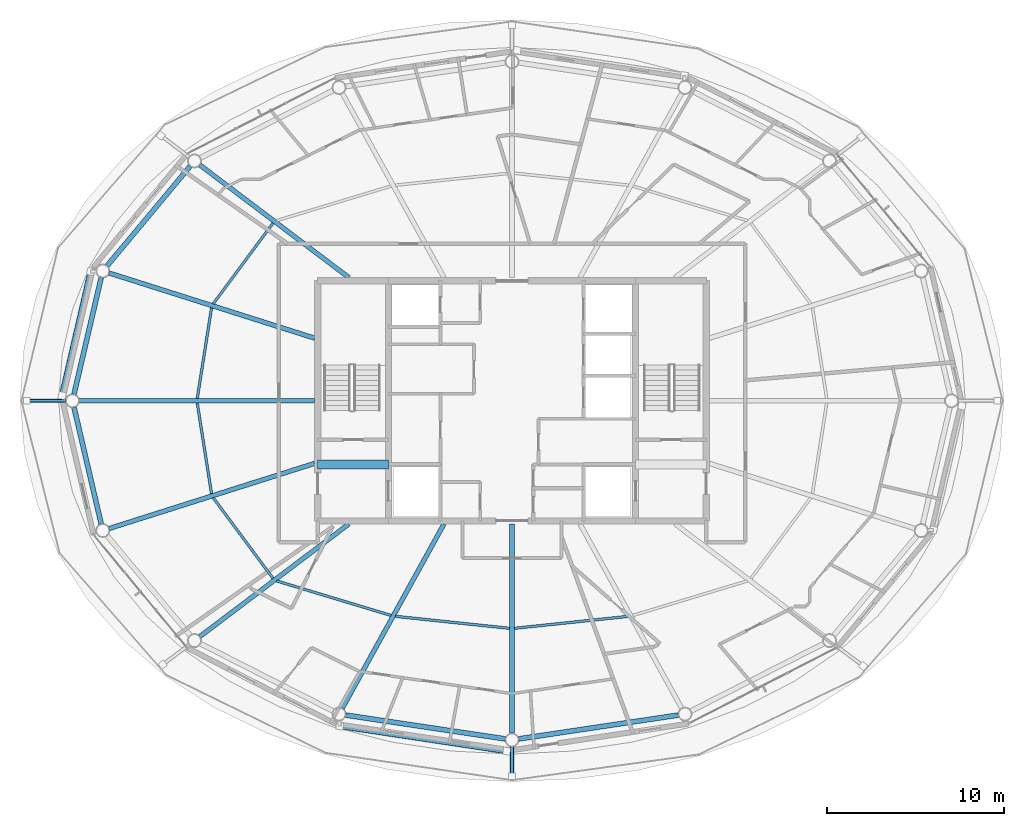
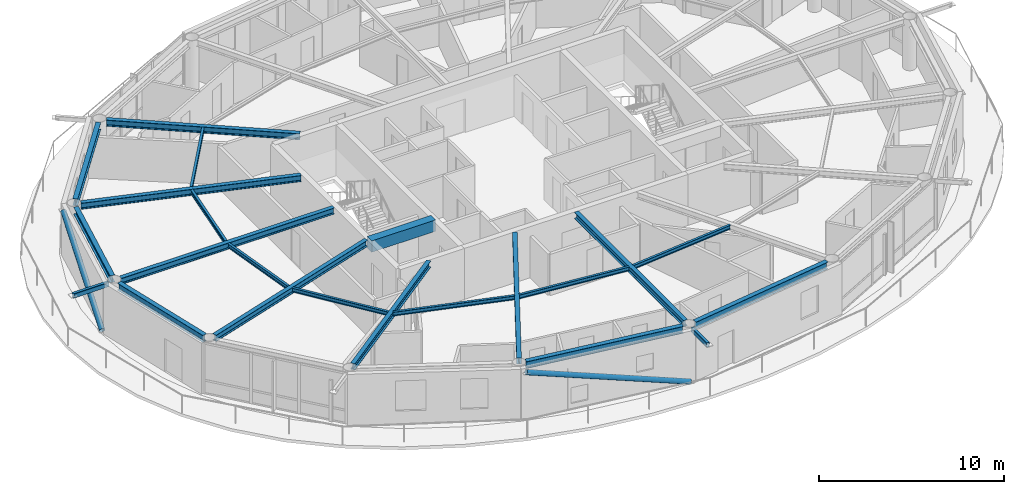
# One storey, part 4 of 23: 20 beams, 4 members.
"""IFC4 building model written with IfcOpenShell, lengths in metres."""

from ifc_helpers import new_model, si_unit, direction, frame, origin, origin_2d, place, context, subcontext, project, spatial, rectangle, hollow_rectangle, hollow_circle, i_section, extrude, material, material_profile, profile_set, type_object, element, save


model = new_model("IFC4")

# Units and contexts
model_context = context("Model", 3, precision=1e-05, world=origin(), true_north=direction((0.0, 1.0)))
body_context = subcontext(model_context, "Body", "Model", "MODEL_VIEW")
ifc_project = project(units=[si_unit("LENGTHUNIT", "METRE"), si_unit("AREAUNIT", "SQUARE_METRE"), si_unit("VOLUMEUNIT", "CUBIC_METRE"), si_unit("PLANEANGLEUNIT", "RADIAN"), si_unit("MASSUNIT", "GRAM", prefix="KILO")], contexts=[model_context])

# Site, building, storey
site_placement = place(None, origin())
site = spatial("IfcSite", under=ifc_project, at=site_placement, CompositionType="ELEMENT")
building_placement = place(site_placement, origin())
building = spatial("IfcBuilding", under=site, at=building_placement, Name="Sarneth Arch Tower", CompositionType="ELEMENT")
storey_placement = place(building_placement, frame((0.0, 0.0, 276.60009765625)))
storey = spatial("IfcBuildingStorey", under=building, at=storey_placement, Name="L71", CompositionType="ELEMENT", Elevation=276.60009765625)

# Beams
ifc_material_1 = material(Name="Steel S355", Category="steel")
ifc_material_profile_1 = material_profile(ifc_material_1, i_section(OverallWidth=0.14794921875, OverallDepth=0.26611328125, WebThickness=0.007568359375, FlangeThickness=0.012939453125, FilletRadius=0.012939453125, at=origin_2d()), Name="W250x44.8")
ifc_profile_set_1 = profile_set([ifc_material_profile_1], Name="Steel S355")
beam_type_1 = type_object("IfcBeamType", Name="BM-JOIST-250", PredefinedType="JOIST", material=ifc_profile_set_1)
beam_1_placement = place(storey_placement, frame((34.469482421875, 52.056396484375, 3.23681640625), z_axis=(-0.595431044136, -0.803406417499, 0.0), x_axis=(0.803406417499, -0.595431044136, 0.0)))
element("IfcBeam", 1, at=beam_1_placement, inside=storey, type_object=beam_type_1, Name="L71 Secondary floor joist 07", PredefinedType="JOIST", context=body_context, shape_type="SweptSolid", body=[
    extrude(i_section(OverallWidth=0.14794921875, OverallDepth=0.26611328125, WebThickness=0.007568359375, FlangeThickness=0.012939453125, FilletRadius=0.012939453125, at=origin_2d()), origin(), (0.0, 0.0, 1.0), 5.680419921875),
])
for number, where, z_axis, x_axis, name in (
    (2, (30.989501953125, 47.259765625, 3.23681640625), (-0.155520890899, -0.987832603478, 0.0), (0.987832603478, -0.155520890899, 0.0), "L71 Secondary floor joist 08"),
    (3, (30.181640625, 41.87158203125, 3.23681640625), (0.155520890899, -0.987832603478, 0.0), (0.987832603478, 0.155520890899, 0.0), "L71 Secondary floor joist 09"),
):
    element("IfcBeam", number, at=place(storey_placement, frame(where, z_axis=z_axis, x_axis=x_axis)), inside=storey, type_object=beam_type_1, Name=name, PredefinedType="JOIST", context=body_context, shape_type="SweptSolid", body=[
        extrude(i_section(OverallWidth=0.14794921875, OverallDepth=0.26611328125, WebThickness=0.007568359375, FlangeThickness=0.012939453125, FilletRadius=0.012939453125, at=origin_2d()), origin(), (0.0, 0.0, 1.0), 5.194580078125),
    ])
beam_2_placement = place(storey_placement, frame((31.087158203125, 36.50732421875, 3.23681640625), z_axis=(0.595431044136, -0.803406417499, 0.0), x_axis=(0.803406417499, 0.595431044136, 0.0)))
element("IfcBeam", 4, at=beam_2_placement, inside=storey, type_object=beam_type_1, Name="L71 Secondary floor joist 10", PredefinedType="JOIST", context=body_context, shape_type="SweptSolid", body=[
    extrude(i_section(OverallWidth=0.14794921875, OverallDepth=0.26611328125, WebThickness=0.007568359375, FlangeThickness=0.012939453125, FilletRadius=0.012939453125, at=origin_2d()), origin(), (0.0, 0.0, 1.0), 5.680419921875),
])
beam_3_placement = place(storey_placement, frame((34.67138671875, 31.801513671875, 3.23681640625), z_axis=(0.957373106971, -0.288854174367, 0.0), x_axis=(0.288854174367, 0.957373106971, 0.0)))
element("IfcBeam", 5, at=beam_3_placement, inside=storey, type_object=beam_type_1, Name="L71 Secondary floor joist 11", PredefinedType="JOIST", context=body_context, shape_type="SweptSolid", body=[
    extrude(i_section(OverallWidth=0.14794921875, OverallDepth=0.26611328125, WebThickness=0.007568359375, FlangeThickness=0.012939453125, FilletRadius=0.012939453125, at=origin_2d()), origin(), (0.0, 0.0, 1.0), 6.76416015625),
])
for number, where, z_axis, x_axis, name in (
    (6, (41.40087890625, 29.79638671875, 3.23681640625), (0.994526818736, -0.104481609938, 0.0), (0.104481609938, 0.994526818736, 0.0), "L71 Secondary floor joist 12"),
    (7, (48.12939453125, 29.11669921875, 3.23681640625), (0.994526818736, 0.104481609938, 0.0), (-0.104481609938, 0.994526818736, 0.0), "L71 Secondary floor joist 13"),
):
    element("IfcBeam", number, at=place(storey_placement, frame(where, z_axis=z_axis, x_axis=x_axis)), inside=storey, type_object=beam_type_1, Name=name, PredefinedType="JOIST", context=body_context, shape_type="SweptSolid", body=[
        extrude(i_section(OverallWidth=0.14794921875, OverallDepth=0.26611328125, WebThickness=0.007568359375, FlangeThickness=0.012939453125, FilletRadius=0.012939453125, at=origin_2d()), origin(), (0.0, 0.0, 1.0), 6.50537109375),
    ])
ifc_material_2 = material(Name="Concrete C50/60", Category="concrete")
ifc_material_profile_2 = material_profile(ifc_material_2, rectangle(XDim=0.5, YDim=0.75, at=origin_2d()), Name="RC-500x750")
ifc_profile_set_2 = profile_set([ifc_material_profile_2], Name="Concrete C50/60")
beam_type_2 = type_object("IfcBeamType", Name="BM-LINTEL-RC", PredefinedType="LINTEL", material=ifc_profile_set_2)
beam_4_placement = place(storey_placement, frame((37.0, 38.39990234375, 2.994873046875), z_axis=(1.0, 0.0, 0.0), x_axis=(0.0, 1.0, 0.0)))
element("IfcBeam", 8, at=beam_4_placement, inside=storey, type_object=beam_type_2, Name="L71 Core coupling lintel W", PredefinedType="LINTEL", context=body_context, shape_type="SweptSolid", body=[
    extrude(rectangle(XDim=0.5, YDim=0.75, at=origin_2d()), origin(), (0.0, 0.0, 1.0), 4.0),
])
ifc_material_3 = material(Name="Steel S355", Category="steel")
ifc_material_profile_3 = material_profile(ifc_material_3, i_section(OverallWidth=0.260009765625, OverallDepth=0.4150390625, WebThickness=0.010009765625, FlangeThickness=0.016845703125, FilletRadius=0.01611328125, at=origin_2d()), Name="W410x100")
ifc_profile_set_3 = profile_set([ifc_material_profile_3], Name="Steel S355")
beam_type_3 = type_object("IfcBeamType", Name="BM-RAD-410A", PredefinedType="BEAM", material=ifc_profile_set_3)
beam_5_placement = place(storey_placement, frame((38.76513671875, 48.97509765625, 3.162353515625), z_axis=(-0.797969745164, 0.602697507713, 0.0), x_axis=(-0.602697507713, -0.797969745164, 0.0)))
element("IfcBeam", 9, at=beam_5_placement, inside=storey, type_object=beam_type_3, Name="L71 Radial floor girder 07", PredefinedType="BEAM", context=body_context, shape_type="SweptSolid", body=[
    extrude(i_section(OverallWidth=0.260009765625, OverallDepth=0.4150390625, WebThickness=0.010009765625, FlangeThickness=0.016845703125, FilletRadius=0.01611328125, at=origin_2d()), origin(), (0.0, 0.0, 1.0), 10.572265625),
])
beam_6_placement = place(storey_placement, frame((36.824951171875, 45.5439453125, 3.162353515625), z_axis=(-0.953213623044, 0.302297517096, 0.0), x_axis=(-0.302297517096, -0.953213623044, 0.0)))
element("IfcBeam", 10, at=beam_6_placement, inside=storey, type_object=beam_type_3, Name="L71 Radial floor girder 08", PredefinedType="BEAM", context=body_context, shape_type="SweptSolid", body=[
    extrude(i_section(OverallWidth=0.260009765625, OverallDepth=0.4150390625, WebThickness=0.010009765625, FlangeThickness=0.016845703125, FilletRadius=0.01611328125, at=origin_2d()), origin(), (0.0, 0.0, 1.0), 12.201416015625),
])
beam_7_placement = place(storey_placement, frame((36.824951171875, 42.0, 3.162353515625), z_axis=(-1.0, 0.0, 0.0), x_axis=(0.0, -1.0, 0.0)))
element("IfcBeam", 11, at=beam_7_placement, inside=storey, type_object=beam_type_3, Name="L71 Radial floor girder 09", PredefinedType="BEAM", context=body_context, shape_type="SweptSolid", body=[
    extrude(i_section(OverallWidth=0.260009765625, OverallDepth=0.4150390625, WebThickness=0.010009765625, FlangeThickness=0.016845703125, FilletRadius=0.01611328125, at=origin_2d()), origin(), (0.0, 0.0, 1.0), 13.3271484375),
])
beam_8_placement = place(storey_placement, frame((36.824951171875, 38.4560546875, 3.162353515625), z_axis=(-0.953213623044, -0.302297517096, 0.0), x_axis=(0.302297517096, -0.953213623044, 0.0)))
element("IfcBeam", 12, at=beam_8_placement, inside=storey, type_object=beam_type_3, Name="L71 Radial floor girder 10", PredefinedType="BEAM", context=body_context, shape_type="SweptSolid", body=[
    extrude(i_section(OverallWidth=0.260009765625, OverallDepth=0.4150390625, WebThickness=0.010009765625, FlangeThickness=0.016845703125, FilletRadius=0.01611328125, at=origin_2d()), origin(), (0.0, 0.0, 1.0), 12.201416015625),
])
beam_9_placement = place(storey_placement, frame((38.76513671875, 35.02490234375, 3.162353515625), z_axis=(-0.797969745164, -0.602697507713, 0.0), x_axis=(0.602697507713, -0.797969745164, 0.0)))
element("IfcBeam", 13, at=beam_9_placement, inside=storey, type_object=beam_type_3, Name="L71 Radial floor girder 11", PredefinedType="BEAM", context=body_context, shape_type="SweptSolid", body=[
    extrude(i_section(OverallWidth=0.260009765625, OverallDepth=0.4150390625, WebThickness=0.010009765625, FlangeThickness=0.016845703125, FilletRadius=0.01611328125, at=origin_2d()), origin(), (0.0, 0.0, 1.0), 10.572265625),
])
beam_10_placement = place(storey_placement, frame((44.150146484375, 35.02490234375, 3.162353515625), z_axis=(-0.483231193732, -0.875492783182, 0.0), x_axis=(0.875492783182, -0.483231193732, 0.0)))
element("IfcBeam", 14, at=beam_10_placement, inside=storey, type_object=beam_type_3, Name="L71 Radial floor girder 12", PredefinedType="BEAM", context=body_context, shape_type="SweptSolid", body=[
    extrude(i_section(OverallWidth=0.260009765625, OverallDepth=0.4150390625, WebThickness=0.010009765625, FlangeThickness=0.016845703125, FilletRadius=0.01611328125, at=origin_2d()), origin(), (0.0, 0.0, 1.0), 11.913330078125),
])
beam_11_placement = place(storey_placement, frame((48.0, 35.02490234375, 3.162353515625), z_axis=(0.0, -1.0, 0.0), x_axis=(1.0, 0.0, 0.0)))
element("IfcBeam", 15, at=beam_11_placement, inside=storey, type_object=beam_type_3, Name="L71 Radial floor girder 13", PredefinedType="BEAM", context=body_context, shape_type="SweptSolid", body=[
    extrude(i_section(OverallWidth=0.260009765625, OverallDepth=0.4150390625, WebThickness=0.010009765625, FlangeThickness=0.016845703125, FilletRadius=0.01611328125, at=origin_2d()), origin(), (0.0, 0.0, 1.0), 11.843994140625),
])
ifc_material_4 = material(Name="Steel S355", Category="steel")
ifc_material_profile_4 = material_profile(ifc_material_4, i_section(OverallWidth=0.280029296875, OverallDepth=0.462890625, WebThickness=0.0107421875, FlangeThickness=0.017333984375, FilletRadius=0.01806640625, at=origin_2d()), Name="W460x113")
ifc_profile_set_4 = profile_set([ifc_material_profile_4], Name="Steel S355")
beam_type_4 = type_object("IfcBeamType", Name="BM-RAD-460A", PredefinedType="BEAM", material=ifc_profile_set_4)
beam_12_placement = place(storey_placement, frame((29.78076171875, 55.283935546875, 3.138427734375), z_axis=(-0.640377192996, -0.768060577487, 0.0), x_axis=(0.768060577487, -0.640377192996, 0.0)))
element("IfcBeam", 16, at=beam_12_placement, inside=storey, type_object=beam_type_4, Name="L71 Perimeter spandrel beam 07", PredefinedType="BEAM", context=body_context, shape_type="SweptSolid", body=[
    extrude(i_section(OverallWidth=0.280029296875, OverallDepth=0.462890625, WebThickness=0.0107421875, FlangeThickness=0.017333984375, FilletRadius=0.01806640625, at=origin_2d()), origin(), (0.0, 0.0, 1.0), 7.34814453125),
])
for number, where, z_axis, x_axis, name in (
    (17, (24.74462890625, 48.9765625, 3.138427734375), (-0.227227339933, -0.973841740729, 0.0), (0.973841740729, -0.227227339933, 0.0), "L71 Perimeter spandrel beam 08"),
    (18, (23.203369140625, 41.62890625, 3.138427734375), (0.227227339933, -0.973841740729, 0.0), (0.973841740729, 0.227227339933, 0.0), "L71 Perimeter spandrel beam 09"),
):
    element("IfcBeam", number, at=place(storey_placement, frame(where, z_axis=z_axis, x_axis=x_axis)), inside=storey, type_object=beam_type_4, Name=name, PredefinedType="BEAM", context=body_context, shape_type="SweptSolid", body=[
        extrude(i_section(OverallWidth=0.280029296875, OverallDepth=0.462890625, WebThickness=0.0107421875, FlangeThickness=0.017333984375, FilletRadius=0.01806640625, at=origin_2d()), origin(), (0.0, 0.0, 1.0), 6.782958984375),
    ])
for number, where, z_axis, x_axis, name in (
    (19, (38.5859375, 24.205322265625, 3.138427734375), (0.989040174637, -0.147646648973, 0.0), (0.147646648973, 0.989040174637, 0.0), "L71 Perimeter spandrel beam 12"),
    (20, (48.376708984375, 22.856201171875, 3.138427734375), (0.989040174637, 0.147646648973, 0.0), (-0.147646648973, 0.989040174637, 0.0), "L71 Perimeter spandrel beam 13"),
):
    element("IfcBeam", number, at=place(storey_placement, frame(where, z_axis=z_axis, x_axis=x_axis)), inside=storey, type_object=beam_type_4, Name=name, PredefinedType="BEAM", context=body_context, shape_type="SweptSolid", body=[
        extrude(i_section(OverallWidth=0.280029296875, OverallDepth=0.462890625, WebThickness=0.0107421875, FlangeThickness=0.017333984375, FilletRadius=0.01806640625, at=origin_2d()), origin(), (0.0, 0.0, 1.0), 9.137451171875),
    ])

# Members
ifc_material_5 = material(Name="Steel S355", Category="steel")
ifc_material_profile_5 = material_profile(ifc_material_5, hollow_rectangle(XDim=0.199951171875, YDim=0.300048828125, WallThickness=0.012451171875, InnerFilletRadius=0.018798828125, OuterFilletRadius=0.03125, at=origin_2d()), Name="RHS300x200x12.5")
ifc_profile_set_5 = profile_set([ifc_material_profile_5], Name="Steel S355")
member_type_1 = type_object("IfcMemberType", Name="MEM-CANT-STRUT", PredefinedType="STRUT", material=ifc_profile_set_5)
member_1_placement = place(storey_placement, frame((22.73583984375, 42.0, 3.2099609375), z_axis=(-1.0, 0.0, 0.0), x_axis=(0.0, -1.0, 0.0)))
element("IfcMember", 21, at=member_1_placement, inside=storey, type_object=member_type_1, Name="L71 Balcony cantilever bracket 09", PredefinedType="STRUT", context=body_context, shape_type="SweptSolid", body=[
    extrude(hollow_rectangle(XDim=0.199951171875, YDim=0.300048828125, WallThickness=0.012451171875, InnerFilletRadius=0.018798828125, OuterFilletRadius=0.03125, at=origin_2d()), origin(), (0.0, 0.0, 1.0), 2.2109375),
])
member_2_placement = place(storey_placement, frame((48.0, 22.4189453125, 3.2099609375), z_axis=(0.0, -1.0, 0.0), x_axis=(1.0, 0.0, 0.0)))
element("IfcMember", 22, at=member_2_placement, inside=storey, type_object=member_type_1, Name="L71 Balcony cantilever bracket 13", PredefinedType="STRUT", context=body_context, shape_type="SweptSolid", body=[
    extrude(hollow_rectangle(XDim=0.199951171875, YDim=0.300048828125, WallThickness=0.012451171875, InnerFilletRadius=0.018798828125, OuterFilletRadius=0.03125, at=origin_2d()), origin(), (0.0, 0.0, 1.0), 1.677001953125),
])
ifc_material_6 = material(Name="Steel S355", Category="steel")
ifc_material_profile_6 = material_profile(ifc_material_6, hollow_circle(Radius=0.162109375, WallThickness=0.012451171875, at=origin_2d()), Name="CHS324x12.5")
ifc_profile_set_6 = profile_set([ifc_material_profile_6], Name="Steel S355")
member_type_2 = type_object("IfcMemberType", Name="MEM-DIAG-BR3", PredefinedType="BRACE", material=ifc_profile_set_6)
member_3_placement = place(storey_placement, frame((22.5234375, 42.292236328125, 0.02001953125), z_axis=(0.207345906073, 0.896276435764, 0.392041102347), x_axis=(-0.974268900284, 0.225388797281, 0.0)))
element("IfcMember", 23, at=member_3_placement, inside=storey, type_object=member_type_2, Name="L71 Perimeter frame diagonal 08", PredefinedType="BRACE", context=body_context, shape_type="SweptSolid", body=[
    extrude(hollow_circle(Radius=0.162109375, WallThickness=0.012451171875, at=origin_2d()), origin(), (0.0, 0.0, 1.0), 7.8359375),
])
member_4_placement = place(storey_placement, frame((47.703369140625, 22.16455078125, 0.02001953125), z_axis=(-0.941478053537, 0.141763681302, 0.305813886821), x_axis=(-0.148897148305, -0.988852688335, 0.0)))
element("IfcMember", 24, at=member_4_placement, inside=storey, type_object=member_type_2, Name="L71 Perimeter frame diagonal 12", PredefinedType="BRACE", context=body_context, shape_type="SweptSolid", body=[
    extrude(hollow_circle(Radius=0.162109375, WallThickness=0.012451171875, at=origin_2d()), origin(), (0.0, 0.0, 1.0), 10.04541015625),
])

save(model, "model.ifc")
